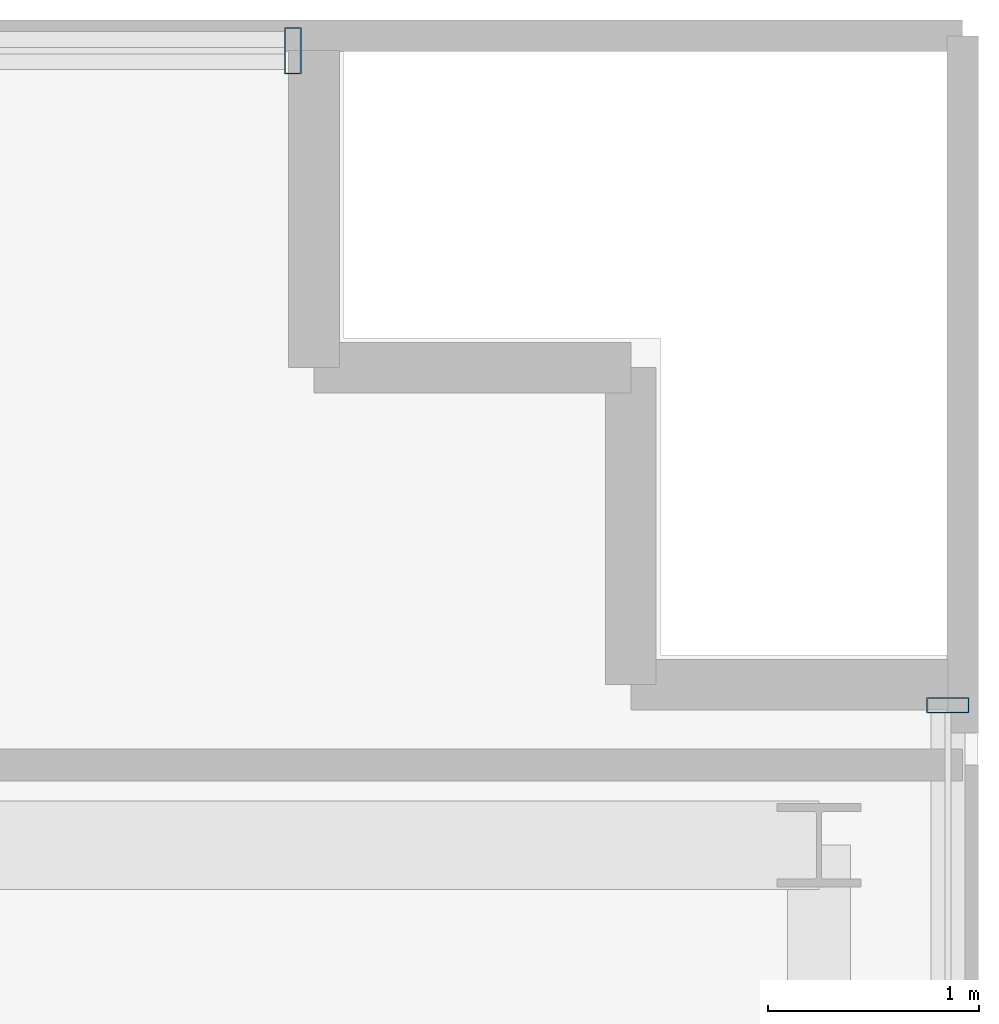
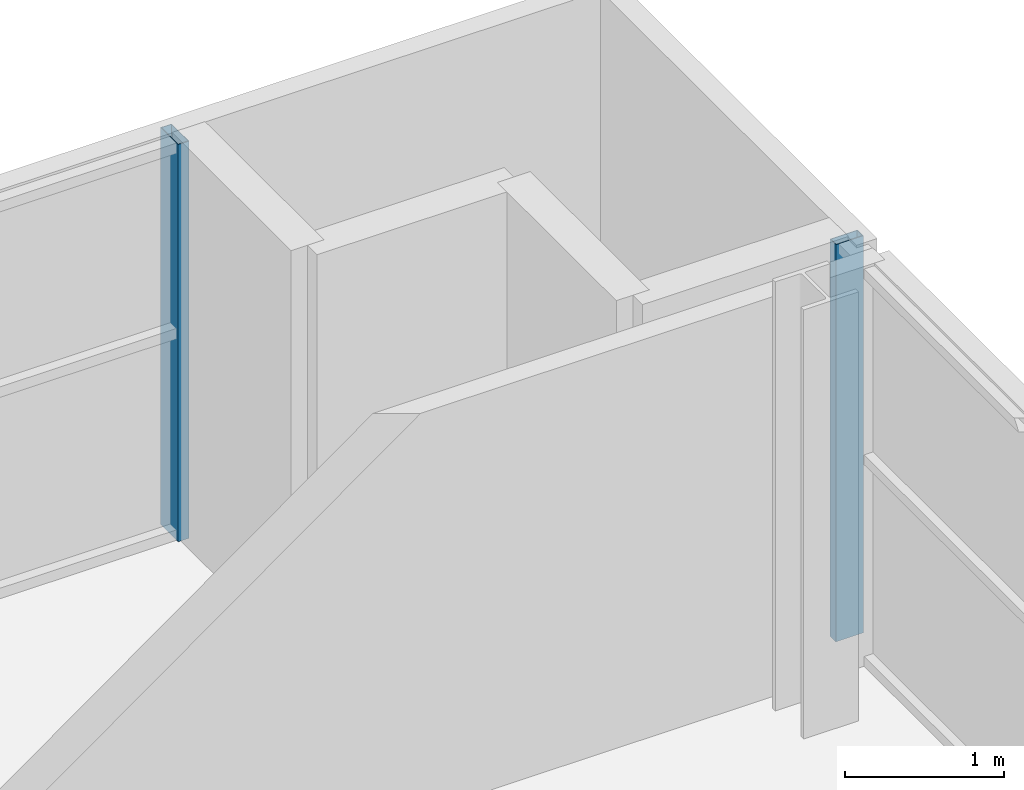
# One storey, part 14 of 23: 2 members, 2 elements without a shape of their own.
"""IFC4 building model written with IfcOpenShell, lengths in metres."""

from ifc_helpers import new_model, si_unit, direction, frame, origin, origin_2d, place, context, subcontext, project, spatial, hollow_rectangle, extrude, source, transform, mapped, material, layer, layer_set, material_profile, profile_set, type_object, element, aggregate, save


model = new_model("IFC4")

# Units and contexts
model_context = context("Model", 3, precision=1e-05, world=origin(), true_north=direction((0.0, 1.0)))
body_context = subcontext(model_context, "Body", "Model", "MODEL_VIEW")
ifc_project = project(units=[si_unit("LENGTHUNIT", "METRE"), si_unit("AREAUNIT", "SQUARE_METRE"), si_unit("VOLUMEUNIT", "CUBIC_METRE"), si_unit("PLANEANGLEUNIT", "RADIAN"), si_unit("MASSUNIT", "GRAM", prefix="KILO")], contexts=[model_context])

# Site, building, storey
site_placement = place(None, origin())
site = spatial("IfcSite", under=ifc_project, at=site_placement, CompositionType="ELEMENT")
building_placement = place(site_placement, origin())
building = spatial("IfcBuilding", under=site, at=building_placement, Name="Zarnakvel Exchange Tower", CompositionType="ELEMENT")
storey_placement = place(building_placement, frame((0.0, 0.0, 172.60009765625)))
storey = spatial("IfcBuildingStorey", under=building, at=storey_placement, Name="L48", CompositionType="ELEMENT", Elevation=172.60009765625)

# Curtain wall, member
ifc_material = material(Name="Architectural Bronze Anodised Aluminium", Category="aluminium")
ifc_layer_1 = layer(ifc_material, 0.199951171875)
ifc_layer_set_1 = layer_set([ifc_layer_1], Name="Architectural Bronze Anodised Aluminium")
curtain_wall_type_1 = type_object("IfcCurtainWallType", Name="CW-04", PredefinedType="NOTDEFINED", material=ifc_layer_set_1)
curtain_wall_1_placement = place(storey_placement, origin())
curtain_wall_1 = element("IfcCurtainWall", 1, at=curtain_wall_1_placement, inside=storey, type_object=curtain_wall_type_1, Name="L48 Curtain Wall CW-L48-E1 (CW-04)", PredefinedType="NOTDEFINED")
ifc_material_profile_1 = material_profile(ifc_material, hollow_rectangle(XDim=0.199951171875, YDim=0.074951171875, WallThickness=0.0048828125, at=origin_2d()))
ifc_profile_set_1 = profile_set([ifc_material_profile_1], Name="Architectural Bronze Anodised Aluminium")
member_type_1 = type_object("IfcMemberType", Name="CWM-04", PredefinedType="MULLION", material=ifc_profile_set_1)
shared_shape_1 = source(origin(), body_context, "Body", "SweptSolid", [
    extrude(hollow_rectangle(XDim=0.199951171875, YDim=0.074951171875, WallThickness=0.0048828125, at=origin_2d()), origin(), (0.0, 0.0, 1.0), 3.054931640625),
])
member_1_placement = place(storey_placement, frame((26.4599609375, 14.16259765625, 0.0), z_axis=(0.0, 0.0, 1.0), x_axis=(-1.0, 0.0, 0.0)))
member_1 = element("IfcMember", 2, at=member_1_placement, type_object=member_type_1, Name="CW-04 mullion 5", PredefinedType="MULLION", context=body_context, shape_type="MappedRepresentation", body=[
    mapped(shared_shape_1, transform((0.0, 0.0, 0.0), x_axis=(1.0, 0.0, 0.0), y_axis=(0.0, 1.0, 0.0), z_axis=(0.0, 0.0, 1.0), scale=1.0)),
])
aggregate(curtain_wall_1, [member_1])

ifc_layer_2 = layer(ifc_material, 0.219970703125)
ifc_layer_set_2 = layer_set([ifc_layer_2], Name="Architectural Bronze Anodised Aluminium")
curtain_wall_type_2 = type_object("IfcCurtainWallType", Name="CW-03", PredefinedType="NOTDEFINED", material=ifc_layer_set_2)
curtain_wall_2_placement = place(storey_placement, origin())
curtain_wall_2 = element("IfcCurtainWall", 3, at=curtain_wall_2_placement, inside=storey, type_object=curtain_wall_type_2, Name="L48 Curtain Wall CW-L48-N1 (CW-03)", PredefinedType="NOTDEFINED")
ifc_material_profile_2 = material_profile(ifc_material, hollow_rectangle(XDim=0.219970703125, YDim=0.080078125, WallThickness=0.0048828125, at=origin_2d()))
ifc_profile_set_2 = profile_set([ifc_material_profile_2], Name="Architectural Bronze Anodised Aluminium")
member_type_2 = type_object("IfcMemberType", Name="CWM-03", PredefinedType="MULLION", material=ifc_profile_set_2)
shared_shape_2 = source(origin(), body_context, "Body", "SweptSolid", [
    extrude(hollow_rectangle(XDim=0.219970703125, YDim=0.080078125, WallThickness=0.0048828125, at=origin_2d()), origin(), (0.0, 0.0, 1.0), 3.054931640625),
])
member_2_placement = place(storey_placement, frame((23.360107421875, 17.260009765625, 0.0), z_axis=(0.0, 0.0, 1.0), x_axis=(0.0, 1.0, 0.0)))
member_2 = element("IfcMember", 4, at=member_2_placement, type_object=member_type_2, Name="CW-03 mullion 7", PredefinedType="MULLION", context=body_context, shape_type="MappedRepresentation", body=[
    mapped(shared_shape_2, transform((0.0, 0.0, 0.0), x_axis=(1.0, 0.0, 0.0), y_axis=(0.0, 1.0, 0.0), z_axis=(0.0, 0.0, 1.0), scale=1.0)),
])
aggregate(curtain_wall_2, [member_2])

save(model, "model.ifc")
